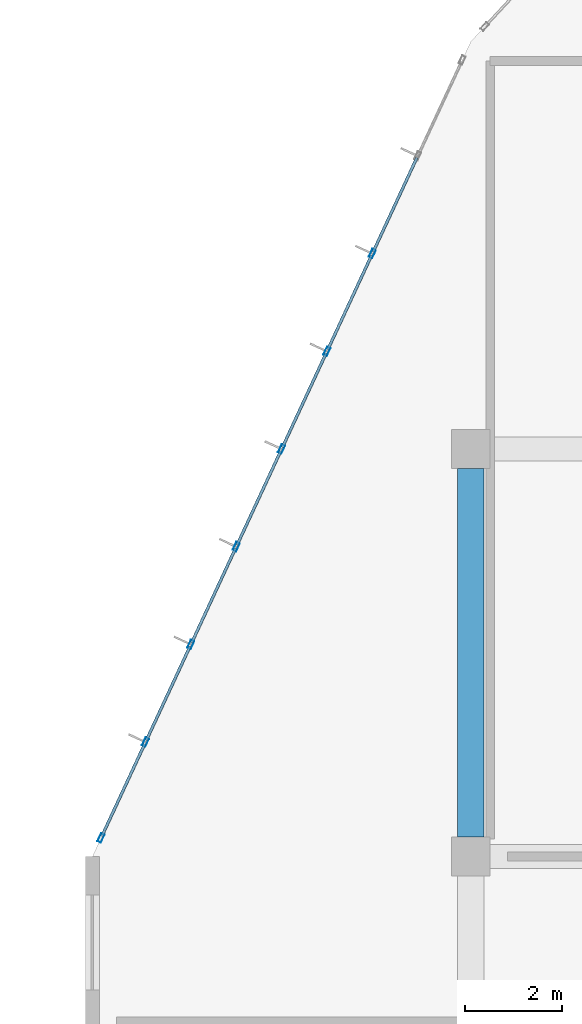
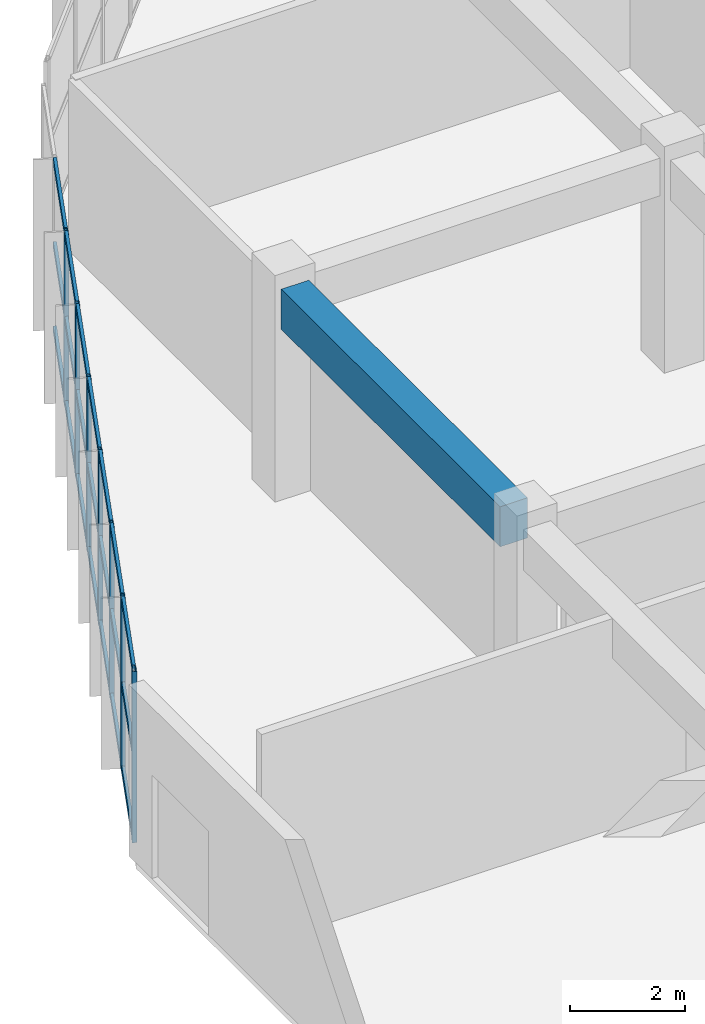
# One storey, part 11 of 139: 28 members, 1 beam, 1 element without a shape of its own.
"""IFC4 building model written with IfcOpenShell, lengths in metres."""

from ifc_helpers import new_model, si_unit, direction, frame, origin, origin_2d, place, context, subcontext, project, spatial, rectangle, hollow_rectangle, extrude, material, layer, layer_set, material_profile, profile_set, type_object, element, aggregate, save


model = new_model("IFC4")

# Units and contexts
model_context = context("Model", 3, precision=1e-05, world=origin(), true_north=direction((0.0, 1.0)))
body_context = subcontext(model_context, "Body", "Model", "MODEL_VIEW")
ifc_project = project(units=[si_unit("LENGTHUNIT", "METRE"), si_unit("AREAUNIT", "SQUARE_METRE"), si_unit("VOLUMEUNIT", "CUBIC_METRE"), si_unit("PLANEANGLEUNIT", "RADIAN"), si_unit("MASSUNIT", "GRAM", prefix="KILO")], contexts=[model_context])

# Site, building, storey
site_placement = place(None, origin())
site = spatial("IfcSite", under=ifc_project, at=site_placement, CompositionType="ELEMENT")
building_placement = place(site_placement, origin())
building = spatial("IfcBuilding", under=site, at=building_placement, Name="Zizhar Promenade General Hospital", CompositionType="ELEMENT")
storey_placement = place(building_placement, origin())
storey = spatial("IfcBuildingStorey", under=building, at=storey_placement, Name="L00", CompositionType="ELEMENT", Elevation=0.0)

# Beam
ifc_material_1 = material(Name="Concrete C35/45", Category="concrete")
ifc_material_profile_1 = material_profile(ifc_material_1, rectangle(XDim=0.550048828125, YDim=0.85009765625, at=origin_2d()))
ifc_profile_set_1 = profile_set([ifc_material_profile_1], Name="Concrete C35/45")
beam_type = type_object("IfcBeamType", Name="BM-RC-550x850", PredefinedType="BEAM", material=ifc_profile_set_1)
beam_placement = place(storey_placement, frame((7.800048828125, 50.800048828125, 4.044921875), z_axis=(0.0, 1.0, 0.0), x_axis=(-1.0, 0.0, 0.0)))
element("IfcBeam", 1, at=beam_placement, inside=storey, type_object=beam_type, Name="Grid Beam Y L00 (1-6)", PredefinedType="BEAM", context=body_context, shape_type="SweptSolid", body=[
    extrude(rectangle(XDim=0.550048828125, YDim=0.85009765625, at=origin_2d()), origin(), (0.0, 0.0, 1.0), 7.599853515625),
])

# Curtain wall, members
ifc_material_2 = material(Name="Anodised aluminium 6063-T6 and low-E glass", Category="aluminium")
ifc_layer = layer(ifc_material_2, 0.159912109375)
ifc_layer_set = layer_set([ifc_layer], Name="Anodised aluminium 6063-T6 and low-E glass")
curtain_wall_type = type_object("IfcCurtainWallType", Name="CW-DT-MOD2", PredefinedType="NOTDEFINED", material=ifc_layer_set)
curtain_wall_placement = place(storey_placement, origin())
curtain_wall = element("IfcCurtainWall", 2, at=curtain_wall_placement, inside=storey, type_object=curtain_wall_type, Name="West Diagnostic Arm Glazed Curtain Wall L00-NW1", PredefinedType="NOTDEFINED")
ifc_material_3 = material(Name="Anodised aluminium 6063-T6", Category="aluminium")
ifc_material_profile_2 = material_profile(ifc_material_3, hollow_rectangle(XDim=0.080078125, YDim=0.179931640625, WallThickness=0.0048828125, at=origin_2d()))
ifc_profile_set_2 = profile_set([ifc_material_profile_2], Name="Anodised aluminium 6063-T6")
member_type_1 = type_object("IfcMemberType", Name="CWM-ALU-180x80", PredefinedType="MULLION", material=ifc_profile_set_2)
member_1_placement = place(storey_placement, frame((0.1767578125, 50.781005859375, 0.0), z_axis=(0.0, 0.0, 1.0), x_axis=(-0.907007278189, 0.421114945486, 0.0)))
member_1 = element("IfcMember", 3, at=member_1_placement, type_object=member_type_1, Name="CW-08 mullion 1", PredefinedType="MULLION", context=body_context, shape_type="SweptSolid", body=[
    extrude(hollow_rectangle(XDim=0.080078125, YDim=0.179931640625, WallThickness=0.0048828125, at=origin_2d()), origin(), (0.0, 0.0, 1.0), 3.6298828125),
])
member_2_placement = place(storey_placement, frame((1.094970703125, 52.758544921875, 0.0), z_axis=(0.0, 0.0, 1.0), x_axis=(-0.907007278189, 0.421114945486, 0.0)))
member_2 = element("IfcMember", 4, at=member_2_placement, type_object=member_type_1, Name="CW-08 mullion 2", PredefinedType="MULLION", context=body_context, shape_type="SweptSolid", body=[
    extrude(hollow_rectangle(XDim=0.080078125, YDim=0.179931640625, WallThickness=0.0048828125, at=origin_2d()), origin(), (0.0, 0.0, 1.0), 3.6298828125),
])
member_3_placement = place(storey_placement, frame((2.030029296875, 54.7724609375, 0.0), z_axis=(0.0, 0.0, 1.0), x_axis=(-0.907007278189, 0.421114945486, 0.0)))
member_3 = element("IfcMember", 5, at=member_3_placement, type_object=member_type_1, Name="CW-08 mullion 3", PredefinedType="MULLION", context=body_context, shape_type="SweptSolid", body=[
    extrude(hollow_rectangle(XDim=0.080078125, YDim=0.179931640625, WallThickness=0.0048828125, at=origin_2d()), origin(), (0.0, 0.0, 1.0), 3.6298828125),
])
member_4_placement = place(storey_placement, frame((2.965087890625, 56.7861328125, 0.0), z_axis=(0.0, 0.0, 1.0), x_axis=(-0.907007278189, 0.421114945486, 0.0)))
member_4 = element("IfcMember", 6, at=member_4_placement, type_object=member_type_1, Name="CW-08 mullion 4", PredefinedType="MULLION", context=body_context, shape_type="SweptSolid", body=[
    extrude(hollow_rectangle(XDim=0.080078125, YDim=0.179931640625, WallThickness=0.0048828125, at=origin_2d()), origin(), (0.0, 0.0, 1.0), 3.6298828125),
])
member_5_placement = place(storey_placement, frame((3.89990234375, 58.800048828125, 0.0), z_axis=(0.0, 0.0, 1.0), x_axis=(-0.907007278189, 0.421114945486, 0.0)))
member_5 = element("IfcMember", 7, at=member_5_placement, type_object=member_type_1, Name="CW-08 mullion 5", PredefinedType="MULLION", context=body_context, shape_type="SweptSolid", body=[
    extrude(hollow_rectangle(XDim=0.080078125, YDim=0.179931640625, WallThickness=0.0048828125, at=origin_2d()), origin(), (0.0, 0.0, 1.0), 3.6298828125),
])
member_6_placement = place(storey_placement, frame((4.8349609375, 60.813720703125, 0.0), z_axis=(0.0, 0.0, 1.0), x_axis=(-0.907007278189, 0.421114945486, 0.0)))
member_6 = element("IfcMember", 8, at=member_6_placement, type_object=member_type_1, Name="CW-08 mullion 6", PredefinedType="MULLION", context=body_context, shape_type="SweptSolid", body=[
    extrude(hollow_rectangle(XDim=0.080078125, YDim=0.179931640625, WallThickness=0.0048828125, at=origin_2d()), origin(), (0.0, 0.0, 1.0), 3.6298828125),
])
member_7_placement = place(storey_placement, frame((5.77001953125, 62.82763671875, 0.0), z_axis=(0.0, 0.0, 1.0), x_axis=(-0.907007278189, 0.421114945486, 0.0)))
member_7 = element("IfcMember", 9, at=member_7_placement, type_object=member_type_1, Name="CW-08 mullion 7", PredefinedType="MULLION", context=body_context, shape_type="SweptSolid", body=[
    extrude(hollow_rectangle(XDim=0.080078125, YDim=0.179931640625, WallThickness=0.0048828125, at=origin_2d()), origin(), (0.0, 0.0, 1.0), 3.6298828125),
])
ifc_material_4 = material(Name="Anodised aluminium 6063-T6", Category="aluminium")
ifc_material_profile_3 = material_profile(ifc_material_4, hollow_rectangle(XDim=0.06005859375, YDim=0.14990234375, WallThickness=0.00390625, at=origin_2d()))
ifc_profile_set_3 = profile_set([ifc_material_profile_3], Name="Anodised aluminium 6063-T6")
member_type_2 = type_object("IfcMemberType", Name="CWT-ALU-150x60", PredefinedType="USERDEFINED", material=ifc_profile_set_3)
member_8_placement = place(storey_placement, frame((0.193603515625, 50.817138671875, 0.030029296875), z_axis=(0.42112838219, 0.907001039533, 0.0), x_axis=(-0.907001039533, 0.42112838219, 0.0)))
member_8 = element("IfcMember", 10, at=member_8_placement, type_object=member_type_2, Name="CW-08 transom 1.1", ObjectType="TRANSOM", PredefinedType="USERDEFINED", context=body_context, shape_type="SweptSolid", body=[
    extrude(hollow_rectangle(XDim=0.06005859375, YDim=0.14990234375, WallThickness=0.00390625, at=origin_2d()), origin(), (0.0, 0.0, 1.0), 2.100341796875),
])
member_9_placement = place(storey_placement, frame((0.193603515625, 50.817138671875, 1.81494140625), z_axis=(0.42112838219, 0.907001039533, 0.0), x_axis=(-0.907001039533, 0.42112838219, 0.0)))
member_9 = element("IfcMember", 11, at=member_9_placement, type_object=member_type_2, Name="CW-08 transom 1.2", ObjectType="TRANSOM", PredefinedType="USERDEFINED", context=body_context, shape_type="SweptSolid", body=[
    extrude(hollow_rectangle(XDim=0.06005859375, YDim=0.14990234375, WallThickness=0.00390625, at=origin_2d()), origin(), (0.0, 0.0, 1.0), 2.100341796875),
])
member_10_placement = place(storey_placement, frame((0.193603515625, 50.817138671875, 3.60009765625), z_axis=(0.42112838219, 0.907001039533, 0.0), x_axis=(-0.907001039533, 0.42112838219, 0.0)))
member_10 = element("IfcMember", 12, at=member_10_placement, type_object=member_type_2, Name="CW-08 transom 1.3", ObjectType="TRANSOM", PredefinedType="USERDEFINED", context=body_context, shape_type="SweptSolid", body=[
    extrude(hollow_rectangle(XDim=0.06005859375, YDim=0.14990234375, WallThickness=0.00390625, at=origin_2d()), origin(), (0.0, 0.0, 1.0), 2.100341796875),
])
member_11_placement = place(storey_placement, frame((1.11181640625, 52.794921875, 0.030029296875), z_axis=(0.421154876076, 0.906988737724, 0.0), x_axis=(-0.906988737724, 0.421154876076, 0.0)))
member_11 = element("IfcMember", 13, at=member_11_placement, type_object=member_type_2, Name="CW-08 transom 2.1", ObjectType="TRANSOM", PredefinedType="USERDEFINED", context=body_context, shape_type="SweptSolid", body=[
    extrude(hollow_rectangle(XDim=0.06005859375, YDim=0.14990234375, WallThickness=0.00390625, at=origin_2d()), origin(), (0.0, 0.0, 1.0), 2.14013671875),
])
member_12_placement = place(storey_placement, frame((1.11181640625, 52.794921875, 1.81494140625), z_axis=(0.421154876076, 0.906988737724, 0.0), x_axis=(-0.906988737724, 0.421154876076, 0.0)))
member_12 = element("IfcMember", 14, at=member_12_placement, type_object=member_type_2, Name="CW-08 transom 2.2", ObjectType="TRANSOM", PredefinedType="USERDEFINED", context=body_context, shape_type="SweptSolid", body=[
    extrude(hollow_rectangle(XDim=0.06005859375, YDim=0.14990234375, WallThickness=0.00390625, at=origin_2d()), origin(), (0.0, 0.0, 1.0), 2.14013671875),
])
member_13_placement = place(storey_placement, frame((1.11181640625, 52.794921875, 3.60009765625), z_axis=(0.421154876076, 0.906988737724, 0.0), x_axis=(-0.906988737724, 0.421154876076, 0.0)))
member_13 = element("IfcMember", 15, at=member_13_placement, type_object=member_type_2, Name="CW-08 transom 2.3", ObjectType="TRANSOM", PredefinedType="USERDEFINED", context=body_context, shape_type="SweptSolid", body=[
    extrude(hollow_rectangle(XDim=0.06005859375, YDim=0.14990234375, WallThickness=0.00390625, at=origin_2d()), origin(), (0.0, 0.0, 1.0), 2.14013671875),
])
member_14_placement = place(storey_placement, frame((2.046875, 54.80859375, 0.030029296875), z_axis=(0.421111306455, 0.907008967748, 0.0), x_axis=(-0.907008967748, 0.421111306455, 0.0)))
member_14 = element("IfcMember", 16, at=member_14_placement, type_object=member_type_2, Name="CW-08 transom 3.1", ObjectType="TRANSOM", PredefinedType="USERDEFINED", context=body_context, shape_type="SweptSolid", body=[
    extrude(hollow_rectangle(XDim=0.06005859375, YDim=0.14990234375, WallThickness=0.00390625, at=origin_2d()), origin(), (0.0, 0.0, 1.0), 2.140380859375),
])
member_15_placement = place(storey_placement, frame((2.046875, 54.80859375, 1.81494140625), z_axis=(0.421111306455, 0.907008967748, 0.0), x_axis=(-0.907008967748, 0.421111306455, 0.0)))
member_15 = element("IfcMember", 17, at=member_15_placement, type_object=member_type_2, Name="CW-08 transom 3.2", ObjectType="TRANSOM", PredefinedType="USERDEFINED", context=body_context, shape_type="SweptSolid", body=[
    extrude(hollow_rectangle(XDim=0.06005859375, YDim=0.14990234375, WallThickness=0.00390625, at=origin_2d()), origin(), (0.0, 0.0, 1.0), 2.140380859375),
])
member_16_placement = place(storey_placement, frame((2.046875, 54.80859375, 3.60009765625), z_axis=(0.421111306455, 0.907008967748, 0.0), x_axis=(-0.907008967748, 0.421111306455, 0.0)))
member_16 = element("IfcMember", 18, at=member_16_placement, type_object=member_type_2, Name="CW-08 transom 3.3", ObjectType="TRANSOM", PredefinedType="USERDEFINED", context=body_context, shape_type="SweptSolid", body=[
    extrude(hollow_rectangle(XDim=0.06005859375, YDim=0.14990234375, WallThickness=0.00390625, at=origin_2d()), origin(), (0.0, 0.0, 1.0), 2.140380859375),
])
member_17_placement = place(storey_placement, frame((2.98193359375, 56.822509765625, 0.030029296875), z_axis=(0.421061030193, 0.907032308605, 0.0), x_axis=(-0.907032308605, 0.421061030193, 0.0)))
member_17 = element("IfcMember", 19, at=member_17_placement, type_object=member_type_2, Name="CW-08 transom 4.1", ObjectType="TRANSOM", PredefinedType="USERDEFINED", context=body_context, shape_type="SweptSolid", body=[
    extrude(hollow_rectangle(XDim=0.06005859375, YDim=0.14990234375, WallThickness=0.00390625, at=origin_2d()), origin(), (0.0, 0.0, 1.0), 2.14013671875),
])
member_18_placement = place(storey_placement, frame((2.98193359375, 56.822509765625, 1.81494140625), z_axis=(0.421061030193, 0.907032308605, 0.0), x_axis=(-0.907032308605, 0.421061030193, 0.0)))
member_18 = element("IfcMember", 20, at=member_18_placement, type_object=member_type_2, Name="CW-08 transom 4.2", ObjectType="TRANSOM", PredefinedType="USERDEFINED", context=body_context, shape_type="SweptSolid", body=[
    extrude(hollow_rectangle(XDim=0.06005859375, YDim=0.14990234375, WallThickness=0.00390625, at=origin_2d()), origin(), (0.0, 0.0, 1.0), 2.14013671875),
])
member_19_placement = place(storey_placement, frame((2.98193359375, 56.822509765625, 3.60009765625), z_axis=(0.421061030193, 0.907032308605, 0.0), x_axis=(-0.907032308605, 0.421061030193, 0.0)))
member_19 = element("IfcMember", 21, at=member_19_placement, type_object=member_type_2, Name="CW-08 transom 4.3", ObjectType="TRANSOM", PredefinedType="USERDEFINED", context=body_context, shape_type="SweptSolid", body=[
    extrude(hollow_rectangle(XDim=0.06005859375, YDim=0.14990234375, WallThickness=0.00390625, at=origin_2d()), origin(), (0.0, 0.0, 1.0), 2.14013671875),
])
member_20_placement = place(storey_placement, frame((3.916748046875, 58.836181640625, 0.030029296875), z_axis=(0.421111306455, 0.907008967748, 0.0), x_axis=(-0.907008967748, 0.421111306455, 0.0)))
member_20 = element("IfcMember", 22, at=member_20_placement, type_object=member_type_2, Name="CW-08 transom 5.1", ObjectType="TRANSOM", PredefinedType="USERDEFINED", context=body_context, shape_type="SweptSolid", body=[
    extrude(hollow_rectangle(XDim=0.06005859375, YDim=0.14990234375, WallThickness=0.00390625, at=origin_2d()), origin(), (0.0, 0.0, 1.0), 2.140380859375),
])
member_21_placement = place(storey_placement, frame((3.916748046875, 58.836181640625, 1.81494140625), z_axis=(0.421111306455, 0.907008967748, 0.0), x_axis=(-0.907008967748, 0.421111306455, 0.0)))
member_21 = element("IfcMember", 23, at=member_21_placement, type_object=member_type_2, Name="CW-08 transom 5.2", ObjectType="TRANSOM", PredefinedType="USERDEFINED", context=body_context, shape_type="SweptSolid", body=[
    extrude(hollow_rectangle(XDim=0.06005859375, YDim=0.14990234375, WallThickness=0.00390625, at=origin_2d()), origin(), (0.0, 0.0, 1.0), 2.140380859375),
])
member_22_placement = place(storey_placement, frame((3.916748046875, 58.836181640625, 3.60009765625), z_axis=(0.421111306455, 0.907008967748, 0.0), x_axis=(-0.907008967748, 0.421111306455, 0.0)))
member_22 = element("IfcMember", 24, at=member_22_placement, type_object=member_type_2, Name="CW-08 transom 5.3", ObjectType="TRANSOM", PredefinedType="USERDEFINED", context=body_context, shape_type="SweptSolid", body=[
    extrude(hollow_rectangle(XDim=0.06005859375, YDim=0.14990234375, WallThickness=0.00390625, at=origin_2d()), origin(), (0.0, 0.0, 1.0), 2.140380859375),
])
member_23_placement = place(storey_placement, frame((4.851806640625, 60.85009765625, 0.030029296875), z_axis=(0.421154876076, 0.906988737724, 0.0), x_axis=(-0.906988737724, 0.421154876076, 0.0)))
member_23 = element("IfcMember", 25, at=member_23_placement, type_object=member_type_2, Name="CW-08 transom 6.1", ObjectType="TRANSOM", PredefinedType="USERDEFINED", context=body_context, shape_type="SweptSolid", body=[
    extrude(hollow_rectangle(XDim=0.06005859375, YDim=0.14990234375, WallThickness=0.00390625, at=origin_2d()), origin(), (0.0, 0.0, 1.0), 2.14013671875),
])
member_24_placement = place(storey_placement, frame((4.851806640625, 60.85009765625, 1.81494140625), z_axis=(0.421154876076, 0.906988737724, 0.0), x_axis=(-0.906988737724, 0.421154876076, 0.0)))
member_24 = element("IfcMember", 26, at=member_24_placement, type_object=member_type_2, Name="CW-08 transom 6.2", ObjectType="TRANSOM", PredefinedType="USERDEFINED", context=body_context, shape_type="SweptSolid", body=[
    extrude(hollow_rectangle(XDim=0.06005859375, YDim=0.14990234375, WallThickness=0.00390625, at=origin_2d()), origin(), (0.0, 0.0, 1.0), 2.14013671875),
])
member_25_placement = place(storey_placement, frame((4.851806640625, 60.85009765625, 3.60009765625), z_axis=(0.421154876076, 0.906988737724, 0.0), x_axis=(-0.906988737724, 0.421154876076, 0.0)))
member_25 = element("IfcMember", 27, at=member_25_placement, type_object=member_type_2, Name="CW-08 transom 6.3", ObjectType="TRANSOM", PredefinedType="USERDEFINED", context=body_context, shape_type="SweptSolid", body=[
    extrude(hollow_rectangle(XDim=0.06005859375, YDim=0.14990234375, WallThickness=0.00390625, at=origin_2d()), origin(), (0.0, 0.0, 1.0), 2.14013671875),
])
member_26_placement = place(storey_placement, frame((5.786865234375, 62.864013671875, 0.030029296875), z_axis=(0.421154876076, 0.906988737724, 0.0), x_axis=(-0.906988737724, 0.421154876076, 0.0)))
member_26 = element("IfcMember", 28, at=member_26_placement, type_object=member_type_2, Name="CW-08 transom 7.1", ObjectType="TRANSOM", PredefinedType="USERDEFINED", context=body_context, shape_type="SweptSolid", body=[
    extrude(hollow_rectangle(XDim=0.06005859375, YDim=0.14990234375, WallThickness=0.00390625, at=origin_2d()), origin(), (0.0, 0.0, 1.0), 2.14013671875),
])
member_27_placement = place(storey_placement, frame((5.786865234375, 62.864013671875, 1.81494140625), z_axis=(0.421154876076, 0.906988737724, 0.0), x_axis=(-0.906988737724, 0.421154876076, 0.0)))
member_27 = element("IfcMember", 29, at=member_27_placement, type_object=member_type_2, Name="CW-08 transom 7.2", ObjectType="TRANSOM", PredefinedType="USERDEFINED", context=body_context, shape_type="SweptSolid", body=[
    extrude(hollow_rectangle(XDim=0.06005859375, YDim=0.14990234375, WallThickness=0.00390625, at=origin_2d()), origin(), (0.0, 0.0, 1.0), 2.14013671875),
])
member_28_placement = place(storey_placement, frame((5.786865234375, 62.864013671875, 3.60009765625), z_axis=(0.421154876076, 0.906988737724, 0.0), x_axis=(-0.906988737724, 0.421154876076, 0.0)))
member_28 = element("IfcMember", 30, at=member_28_placement, type_object=member_type_2, Name="CW-08 transom 7.3", ObjectType="TRANSOM", PredefinedType="USERDEFINED", context=body_context, shape_type="SweptSolid", body=[
    extrude(hollow_rectangle(XDim=0.06005859375, YDim=0.14990234375, WallThickness=0.00390625, at=origin_2d()), origin(), (0.0, 0.0, 1.0), 2.14013671875),
])
aggregate(curtain_wall, [member_1, member_2, member_3, member_4, member_5, member_6, member_7, member_8, member_9, member_10, member_11, member_12, member_13, member_14, member_15, member_16, member_17, member_18, member_19, member_20, member_21, member_22, member_23, member_24, member_25, member_26, member_27, member_28])

save(model, "model.ifc")
